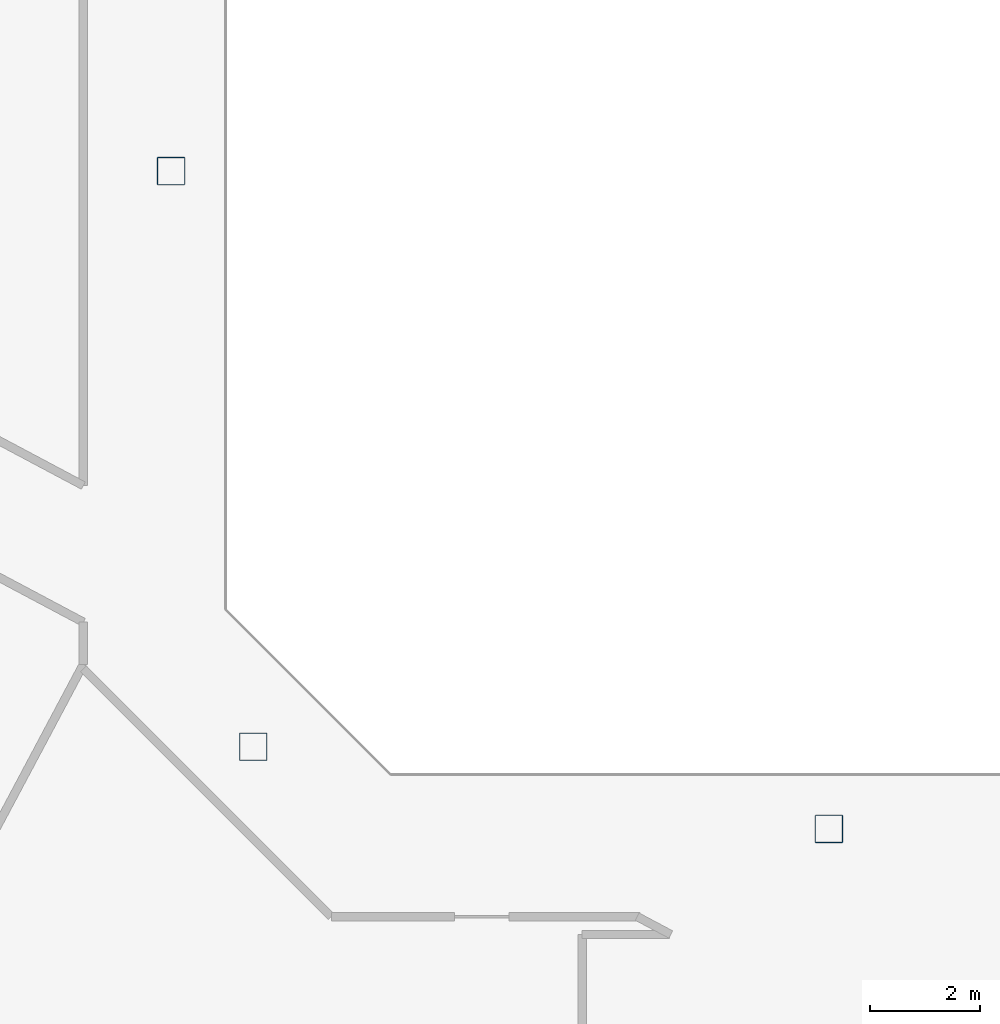
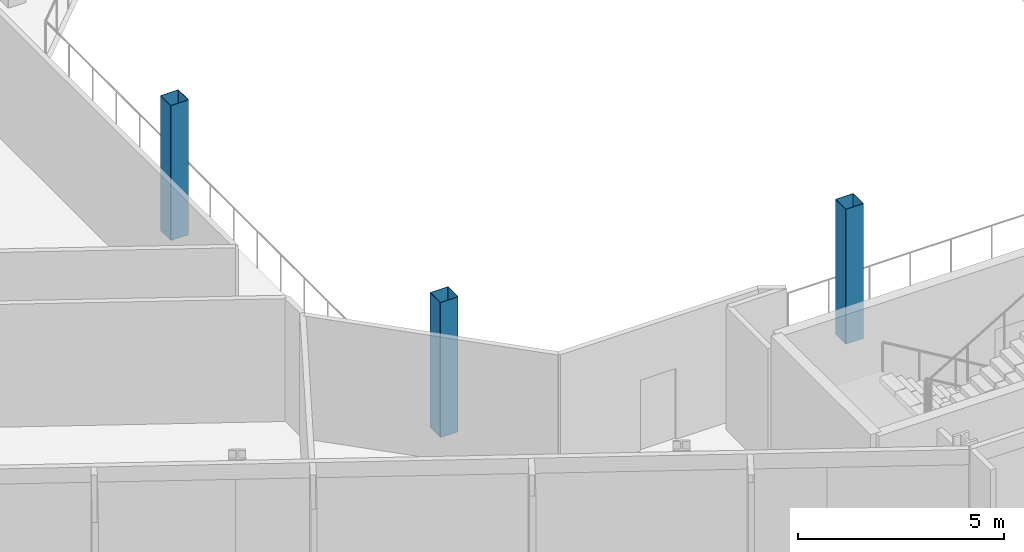
# One storey, part 2 of 28: 3 columns.
"""IFC4 building model written with IfcOpenShell, lengths in metres."""

import ifcopenshell
import ifcopenshell.guid

model = None  # the IFC model being written
_history = None  # IfcOwnerHistory: only IFC2X3 demands one
_inside = {}  # id of a spatial element -> (the spatial element, [elements in it])
_under = {}  # id of a project, library or spatial element -> (it, [spatial elements below it])
_declared = {}  # id of a project -> (the project, [libraries it declares])
_typed = {}  # id of a type object -> (the type object, [elements of that type])
_made_of = {}  # id of a material, layer set ... -> (it, [elements and type objects made of it])


def new_model(schema):
    """Start an empty IFC model of exactly this schema.

    Asked for "IFC4X3", IfcOpenShell would pick the latest addendum, in which some entities
    have other attributes; the version numbers below select the first issue.
    IFC2X3 requires an IfcOwnerHistory on every rooted entity: one is made here for all.
    """
    global model, _history
    if schema == "IFC4X3":
        model = ifcopenshell.file(schema_version=(4, 3, 0, 0))
    else:
        model = ifcopenshell.file(schema=schema)
    _inside.clear()
    _under.clear()
    _declared.clear()
    _typed.clear()
    _made_of.clear()
    _history = None
    if model.schema == "IFC2X3":
        org = make("IfcOrganization", Name="unknown")
        user = make(
            "IfcPersonAndOrganization",
            ThePerson=make("IfcPerson", FamilyName="unknown"),
            TheOrganization=org,
        )
        app = make(
            "IfcApplication",
            ApplicationDeveloper=org,
            Version="unknown",
            ApplicationFullName="unknown",
            ApplicationIdentifier="unknown",
        )
        _history = make(
            "IfcOwnerHistory",
            OwningUser=user,
            OwningApplication=app,
            ChangeAction="ADDED",
            CreationDate=0,
        )
    return model


def make(cls, **values):
    """One entity of the class cls with the attributes given. An attribute that is None is left unset."""
    return model.create_entity(
        cls, **{name: value for name, value in values.items() if value is not None}
    )


def rooted(cls, **values):
    """An entity with a GlobalId (a new one), such as an element, a storey or a relation."""
    return make(cls, GlobalId=ifcopenshell.guid.new(), OwnerHistory=_history, **values)


def si_unit(unit_type, name, prefix=None):
    """IfcSIUnit, for example si_unit("LENGTHUNIT", "METRE", prefix="MILLI")."""
    return make("IfcSIUnit", UnitType=unit_type, Prefix=prefix, Name=name)


def assignment(units):
    """IfcUnitAssignment: the units of a project."""
    return None if units is None else make("IfcUnitAssignment", Units=units)


def point(xyz):
    """IfcCartesianPoint."""
    return None if xyz is None else make("IfcCartesianPoint", Coordinates=xyz)


def direction(xyz):
    """IfcDirection."""
    return None if xyz is None else make("IfcDirection", DirectionRatios=xyz)


def frame(location, z_axis=None, x_axis=None):
    """IfcAxis2Placement3D, a coordinate frame: its origin and axes. An axis left out is left unset."""
    return make(
        "IfcAxis2Placement3D",
        Location=point(location),
        Axis=direction(z_axis),
        RefDirection=direction(x_axis),
    )


def frame_2d(location, x_axis=None):
    """IfcAxis2Placement2D, a coordinate frame in the plane: its origin and x axis."""
    return make(
        "IfcAxis2Placement2D", Location=point(location), RefDirection=direction(x_axis)
    )


def origin():
    """The frame at (0, 0, 0) with its axes left unset."""
    return frame((0.0, 0.0, 0.0))


def origin_2d():
    """The frame at (0, 0) in the plane with its x axis left unset."""
    return frame_2d((0.0, 0.0))


def place(relative_to, where):
    """IfcLocalPlacement: puts the frame where relative to a parent placement (None: the world)."""
    return make(
        "IfcLocalPlacement", PlacementRelTo=relative_to, RelativePlacement=where
    )


def context(
    kind, dimensions, precision=None, world=None, true_north=None, identifier=None
):
    """IfcGeometricRepresentationContext, for example the 3D "Model" context."""
    return make(
        "IfcGeometricRepresentationContext",
        ContextIdentifier=identifier,
        ContextType=kind,
        CoordinateSpaceDimension=dimensions,
        Precision=precision,
        WorldCoordinateSystem=world,
        TrueNorth=true_north,
    )


def subcontext(parent, identifier, kind, view, scale=None):
    """IfcGeometricRepresentationSubContext, for example "Body" below "Model"."""
    return make(
        "IfcGeometricRepresentationSubContext",
        ContextIdentifier=identifier,
        ContextType=kind,
        ParentContext=parent,
        TargetScale=scale,
        TargetView=view,
    )


def project(units=None, contexts=None):
    """IfcProject with its units and contexts."""
    return rooted(
        "IfcProject",
        Name="project",
        RepresentationContexts=contexts,
        UnitsInContext=assignment(units),
    )


def spatial(cls, under=None, at=None, **own):
    """A site, building, storey or space (cls), placed at a placement, below another one or the project."""
    s = rooted(cls, ObjectPlacement=at, **own)
    if under is not None:
        _under.setdefault(under.id(), (under, []))[1].append(s)
    return s


def profile(cls, at=None, kind="AREA", **sizes):
    """A parametric profile (cls). Its sizes go by their IFC names, for example OverallWidth=200.0."""
    return make(cls, ProfileType=kind, Position=at, **sizes)


def hollow_rectangle(**sizes):
    """IfcRectangleHollowProfileDef."""
    return profile("IfcRectangleHollowProfileDef", **sizes)


def extrude(swept, where, along, depth):
    """IfcExtrudedAreaSolid: the profile swept, set in the frame where, extruded along a direction by depth."""
    return make(
        "IfcExtrudedAreaSolid",
        SweptArea=swept,
        Position=where,
        ExtrudedDirection=direction(along),
        Depth=depth,
    )


def shape(context_of_items, identifier, shape_type, items):
    """IfcShapeRepresentation: the items that make up one representation, for example the "Body"."""
    return make(
        "IfcShapeRepresentation",
        ContextOfItems=context_of_items,
        RepresentationIdentifier=identifier,
        RepresentationType=shape_type,
        Items=items,
    )


def material(Name=None, Category=None):
    """IfcMaterial."""
    return make("IfcMaterial", Name=Name, Category=Category)


def material_profile(
    of_material, cross_section, Name=None, Category=None, Priority=None
):
    """IfcMaterialProfile: a cross section and its material."""
    return make(
        "IfcMaterialProfile",
        Name=Name,
        Material=of_material,
        Profile=cross_section,
        Priority=Priority,
        Category=Category,
    )


def profile_set(profiles, Name=None, composite=None):
    """IfcMaterialProfileSet."""
    return make(
        "IfcMaterialProfileSet",
        Name=Name,
        MaterialProfiles=profiles,
        CompositeProfile=composite,
    )


def made_of(thing, what):
    """Note that an element or type object is made of a material, layer set ...; save() writes the relation."""
    if what is not None:
        _made_of.setdefault(what.id(), (what, []))[1].append(thing)
    return thing


def type_object(cls, material=None, **own):
    """A type object (cls), such as IfcWallType, which elements share."""
    return made_of(rooted(cls, **own), material)


def element(
    cls,
    number,
    at=None,
    inside=None,
    cuts=None,
    type_object=None,
    material=None,
    context=None,
    identifier="Body",
    shape_type=None,
    held_by="IfcProductDefinitionShape",
    body=None,
    shapes=None,
    **own,
):
    """One element of the class cls, such as IfcWall. Its Tag is "e" and its number.

    at: its placement. inside: the storey or other place that contains it. cuts: it is an
    opening in that element (IfcRelVoidsElement). A single representation is given by context,
    identifier, shape_type and body (its items); several are given by shapes. held_by: the class
    of the entity that holds the representations. save() writes the other relations.
    """
    e = rooted(cls, Tag="e%d" % number, ObjectPlacement=at, **own)
    if body is not None:
        shapes = [shape(context, identifier, shape_type, body)]
    if shapes is not None:
        e.Representation = make(held_by, Representations=shapes)
    if inside is not None:
        _inside.setdefault(inside.id(), (inside, []))[1].append(e)
    if cuts is not None:
        rooted(
            "IfcRelVoidsElement", RelatingBuildingElement=cuts, RelatedOpeningElement=e
        )
    if type_object is not None:
        _typed.setdefault(type_object.id(), (type_object, []))[1].append(e)
    return made_of(e, material)


def aggregate(whole, parts):
    """IfcRelAggregates: a whole, such as a stair, and the parts it consists of."""
    return rooted("IfcRelAggregates", RelatingObject=whole, RelatedObjects=parts)


def save(model, path):
    """Write the relations noted so far, then the file.

    IfcRelAggregates (storeys below a building ...), IfcRelContainedInSpatialStructure (elements
    in a storey), IfcRelDefinesByType, IfcRelAssociatesMaterial and IfcRelDeclares: one each for
    every whole, place, type object, material and project.
    """
    for whole, parts in _under.values():
        aggregate(whole, parts)
    for where, things in _inside.values():
        rooted(
            "IfcRelContainedInSpatialStructure",
            RelatedElements=things,
            RelatingStructure=where,
        )
    for kind, things in _typed.values():
        rooted("IfcRelDefinesByType", RelatedObjects=things, RelatingType=kind)
    for what, things in _made_of.values():
        rooted("IfcRelAssociatesMaterial", RelatedObjects=things, RelatingMaterial=what)
    for by, libraries in _declared.values():
        rooted("IfcRelDeclares", RelatingContext=by, RelatedDefinitions=libraries)
    model.write(path)


model = new_model("IFC4")

# Units and contexts
model_context = context("Model", 3, precision=1e-05, world=origin(), true_north=direction((0.0, 1.0)))
body_context = subcontext(model_context, "Body", "Model", "MODEL_VIEW")
ifc_project = project(units=[si_unit("LENGTHUNIT", "METRE"), si_unit("AREAUNIT", "SQUARE_METRE"), si_unit("VOLUMEUNIT", "CUBIC_METRE"), si_unit("PLANEANGLEUNIT", "RADIAN"), si_unit("MASSUNIT", "GRAM", prefix="KILO")], contexts=[model_context])

# Site, building, storey
site_placement = place(None, origin())
site = spatial("IfcSite", under=ifc_project, at=site_placement, CompositionType="ELEMENT")
building_placement = place(site_placement, origin())
building = spatial("IfcBuilding", under=site, at=building_placement, Name="Cormorant Relay Tower", CompositionType="ELEMENT")
storey_placement = place(building_placement, frame((0.0, 0.0, 142.199951171875)))
storey = spatial("IfcBuildingStorey", under=building, at=storey_placement, Name="L29", CompositionType="ELEMENT", Elevation=142.199951171875)

# Columns
ifc_material = material(Name="Steel ASTM A500 Grade C (Fy 345 MPa)", Category="steel")
ifc_material_profile = material_profile(ifc_material, hollow_rectangle(XDim=0.508056640625, YDim=0.508056640625, WallThickness=0.01171875, InnerFilletRadius=0.005859375, OuterFilletRadius=0.017822265625, at=origin_2d()), Name="HSS508x508x12")
ifc_profile_set = profile_set([ifc_material_profile], Name="Steel ASTM A500 Grade C (Fy 345 MPa)")
column_type = type_object("IfcColumnType", Name="Column HSS508x508x12", PredefinedType="COLUMN", material=ifc_profile_set)
for number, where, z_axis, x_axis, name in (
    (1, (0.0, -12.0, 0.0), (0.0, 0.0, 1.0), (1.0, 0.0, 0.0), "Column L29-007"),
    (2, (-10.5, -10.5, 0.0), (0.0, 0.0, 1.0), (1.0, 0.0, 0.0), "Column L29-009"),
    (3, (-12.0, 0.0, 0.0), (0.0, 0.0, 1.0), (1.0, 0.0, 0.0), "Column L29-015"),
):
    element("IfcColumn", number, at=place(storey_placement, frame(where, z_axis=z_axis, x_axis=x_axis)), inside=storey, type_object=column_type, Name=name, PredefinedType="COLUMN", context=body_context, shape_type="SweptSolid", body=[
        extrude(hollow_rectangle(XDim=0.508056640625, YDim=0.508056640625, WallThickness=0.01171875, InnerFilletRadius=0.005859375, OuterFilletRadius=0.017822265625, at=origin_2d()), origin(), (0.0, 0.0, 1.0), 4.0),
    ])

save(model, "model.ifc")
